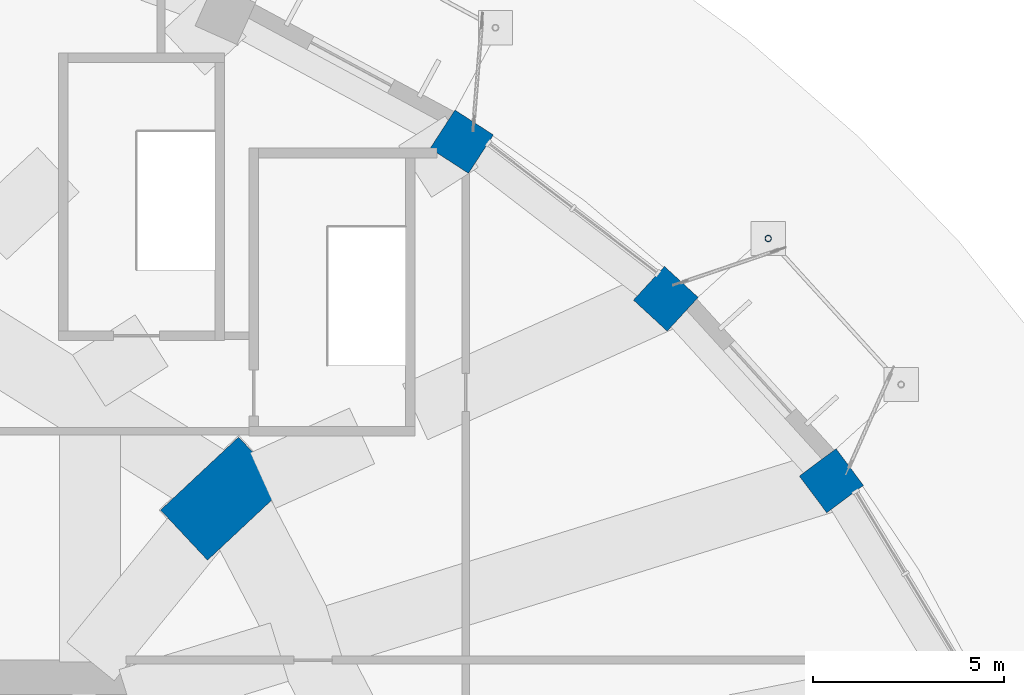
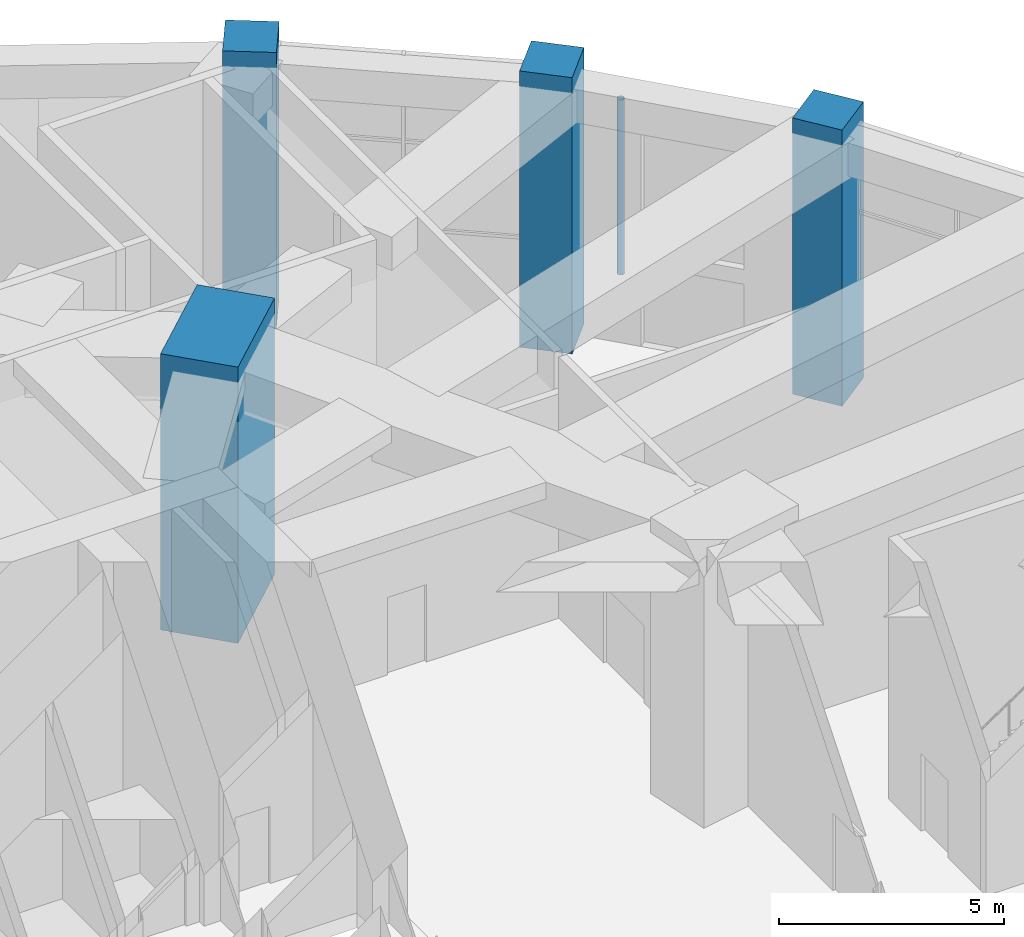
# One storey, part 16 of 60: 5 columns.
"""IFC4 building model written with IfcOpenShell, lengths in metres."""

import ifcopenshell
import ifcopenshell.guid

model = None  # the IFC model being written
_history = None  # IfcOwnerHistory: only IFC2X3 demands one
_inside = {}  # id of a spatial element -> (the spatial element, [elements in it])
_under = {}  # id of a project, library or spatial element -> (it, [spatial elements below it])
_declared = {}  # id of a project -> (the project, [libraries it declares])
_typed = {}  # id of a type object -> (the type object, [elements of that type])
_made_of = {}  # id of a material, layer set ... -> (it, [elements and type objects made of it])


def new_model(schema):
    """Start an empty IFC model of exactly this schema.

    Asked for "IFC4X3", IfcOpenShell would pick the latest addendum, in which some entities
    have other attributes; the version numbers below select the first issue.
    IFC2X3 requires an IfcOwnerHistory on every rooted entity: one is made here for all.
    """
    global model, _history
    if schema == "IFC4X3":
        model = ifcopenshell.file(schema_version=(4, 3, 0, 0))
    else:
        model = ifcopenshell.file(schema=schema)
    _inside.clear()
    _under.clear()
    _declared.clear()
    _typed.clear()
    _made_of.clear()
    _history = None
    if model.schema == "IFC2X3":
        org = make("IfcOrganization", Name="unknown")
        user = make(
            "IfcPersonAndOrganization",
            ThePerson=make("IfcPerson", FamilyName="unknown"),
            TheOrganization=org,
        )
        app = make(
            "IfcApplication",
            ApplicationDeveloper=org,
            Version="unknown",
            ApplicationFullName="unknown",
            ApplicationIdentifier="unknown",
        )
        _history = make(
            "IfcOwnerHistory",
            OwningUser=user,
            OwningApplication=app,
            ChangeAction="ADDED",
            CreationDate=0,
        )
    return model


def make(cls, **values):
    """One entity of the class cls with the attributes given. An attribute that is None is left unset."""
    return model.create_entity(
        cls, **{name: value for name, value in values.items() if value is not None}
    )


def rooted(cls, **values):
    """An entity with a GlobalId (a new one), such as an element, a storey or a relation."""
    return make(cls, GlobalId=ifcopenshell.guid.new(), OwnerHistory=_history, **values)


def si_unit(unit_type, name, prefix=None):
    """IfcSIUnit, for example si_unit("LENGTHUNIT", "METRE", prefix="MILLI")."""
    return make("IfcSIUnit", UnitType=unit_type, Prefix=prefix, Name=name)


def assignment(units):
    """IfcUnitAssignment: the units of a project."""
    return None if units is None else make("IfcUnitAssignment", Units=units)


def point(xyz):
    """IfcCartesianPoint."""
    return None if xyz is None else make("IfcCartesianPoint", Coordinates=xyz)


def direction(xyz):
    """IfcDirection."""
    return None if xyz is None else make("IfcDirection", DirectionRatios=xyz)


def frame(location, z_axis=None, x_axis=None):
    """IfcAxis2Placement3D, a coordinate frame: its origin and axes. An axis left out is left unset."""
    return make(
        "IfcAxis2Placement3D",
        Location=point(location),
        Axis=direction(z_axis),
        RefDirection=direction(x_axis),
    )


def frame_2d(location, x_axis=None):
    """IfcAxis2Placement2D, a coordinate frame in the plane: its origin and x axis."""
    return make(
        "IfcAxis2Placement2D", Location=point(location), RefDirection=direction(x_axis)
    )


def origin():
    """The frame at (0, 0, 0) with its axes left unset."""
    return frame((0.0, 0.0, 0.0))


def origin_2d():
    """The frame at (0, 0) in the plane with its x axis left unset."""
    return frame_2d((0.0, 0.0))


def place(relative_to, where):
    """IfcLocalPlacement: puts the frame where relative to a parent placement (None: the world)."""
    return make(
        "IfcLocalPlacement", PlacementRelTo=relative_to, RelativePlacement=where
    )


def context(
    kind, dimensions, precision=None, world=None, true_north=None, identifier=None
):
    """IfcGeometricRepresentationContext, for example the 3D "Model" context."""
    return make(
        "IfcGeometricRepresentationContext",
        ContextIdentifier=identifier,
        ContextType=kind,
        CoordinateSpaceDimension=dimensions,
        Precision=precision,
        WorldCoordinateSystem=world,
        TrueNorth=true_north,
    )


def subcontext(parent, identifier, kind, view, scale=None):
    """IfcGeometricRepresentationSubContext, for example "Body" below "Model"."""
    return make(
        "IfcGeometricRepresentationSubContext",
        ContextIdentifier=identifier,
        ContextType=kind,
        ParentContext=parent,
        TargetScale=scale,
        TargetView=view,
    )


def project(units=None, contexts=None):
    """IfcProject with its units and contexts."""
    return rooted(
        "IfcProject",
        Name="project",
        RepresentationContexts=contexts,
        UnitsInContext=assignment(units),
    )


def spatial(cls, under=None, at=None, **own):
    """A site, building, storey or space (cls), placed at a placement, below another one or the project."""
    s = rooted(cls, ObjectPlacement=at, **own)
    if under is not None:
        _under.setdefault(under.id(), (under, []))[1].append(s)
    return s


def profile(cls, at=None, kind="AREA", **sizes):
    """A parametric profile (cls). Its sizes go by their IFC names, for example OverallWidth=200.0."""
    return make(cls, ProfileType=kind, Position=at, **sizes)


def rectangle(**sizes):
    """IfcRectangleProfileDef."""
    return profile("IfcRectangleProfileDef", **sizes)


def hollow_circle(**sizes):
    """IfcCircleHollowProfileDef."""
    return profile("IfcCircleHollowProfileDef", **sizes)


def extrude(swept, where, along, depth):
    """IfcExtrudedAreaSolid: the profile swept, set in the frame where, extruded along a direction by depth."""
    return make(
        "IfcExtrudedAreaSolid",
        SweptArea=swept,
        Position=where,
        ExtrudedDirection=direction(along),
        Depth=depth,
    )


def shape(context_of_items, identifier, shape_type, items):
    """IfcShapeRepresentation: the items that make up one representation, for example the "Body"."""
    return make(
        "IfcShapeRepresentation",
        ContextOfItems=context_of_items,
        RepresentationIdentifier=identifier,
        RepresentationType=shape_type,
        Items=items,
    )


def material(Name=None, Category=None):
    """IfcMaterial."""
    return make("IfcMaterial", Name=Name, Category=Category)


def material_profile(
    of_material, cross_section, Name=None, Category=None, Priority=None
):
    """IfcMaterialProfile: a cross section and its material."""
    return make(
        "IfcMaterialProfile",
        Name=Name,
        Material=of_material,
        Profile=cross_section,
        Priority=Priority,
        Category=Category,
    )


def profile_set(profiles, Name=None, composite=None):
    """IfcMaterialProfileSet."""
    return make(
        "IfcMaterialProfileSet",
        Name=Name,
        MaterialProfiles=profiles,
        CompositeProfile=composite,
    )


def made_of(thing, what):
    """Note that an element or type object is made of a material, layer set ...; save() writes the relation."""
    if what is not None:
        _made_of.setdefault(what.id(), (what, []))[1].append(thing)
    return thing


def type_object(cls, material=None, **own):
    """A type object (cls), such as IfcWallType, which elements share."""
    return made_of(rooted(cls, **own), material)


def element(
    cls,
    number,
    at=None,
    inside=None,
    cuts=None,
    type_object=None,
    material=None,
    context=None,
    identifier="Body",
    shape_type=None,
    held_by="IfcProductDefinitionShape",
    body=None,
    shapes=None,
    **own,
):
    """One element of the class cls, such as IfcWall. Its Tag is "e" and its number.

    at: its placement. inside: the storey or other place that contains it. cuts: it is an
    opening in that element (IfcRelVoidsElement). A single representation is given by context,
    identifier, shape_type and body (its items); several are given by shapes. held_by: the class
    of the entity that holds the representations. save() writes the other relations.
    """
    e = rooted(cls, Tag="e%d" % number, ObjectPlacement=at, **own)
    if body is not None:
        shapes = [shape(context, identifier, shape_type, body)]
    if shapes is not None:
        e.Representation = make(held_by, Representations=shapes)
    if inside is not None:
        _inside.setdefault(inside.id(), (inside, []))[1].append(e)
    if cuts is not None:
        rooted(
            "IfcRelVoidsElement", RelatingBuildingElement=cuts, RelatedOpeningElement=e
        )
    if type_object is not None:
        _typed.setdefault(type_object.id(), (type_object, []))[1].append(e)
    return made_of(e, material)


def aggregate(whole, parts):
    """IfcRelAggregates: a whole, such as a stair, and the parts it consists of."""
    return rooted("IfcRelAggregates", RelatingObject=whole, RelatedObjects=parts)


def save(model, path):
    """Write the relations noted so far, then the file.

    IfcRelAggregates (storeys below a building ...), IfcRelContainedInSpatialStructure (elements
    in a storey), IfcRelDefinesByType, IfcRelAssociatesMaterial and IfcRelDeclares: one each for
    every whole, place, type object, material and project.
    """
    for whole, parts in _under.values():
        aggregate(whole, parts)
    for where, things in _inside.values():
        rooted(
            "IfcRelContainedInSpatialStructure",
            RelatedElements=things,
            RelatingStructure=where,
        )
    for kind, things in _typed.values():
        rooted("IfcRelDefinesByType", RelatedObjects=things, RelatingType=kind)
    for what, things in _made_of.values():
        rooted("IfcRelAssociatesMaterial", RelatedObjects=things, RelatingMaterial=what)
    for by, libraries in _declared.values():
        rooted("IfcRelDeclares", RelatingContext=by, RelatedDefinitions=libraries)
    model.write(path)


model = new_model("IFC4")

# Units and contexts
model_context = context("Model", 3, precision=1e-05, world=origin(), true_north=direction((0.0, 1.0)))
body_context = subcontext(model_context, "Body", "Model", "MODEL_VIEW")
ifc_project = project(units=[si_unit("LENGTHUNIT", "METRE"), si_unit("AREAUNIT", "SQUARE_METRE"), si_unit("VOLUMEUNIT", "CUBIC_METRE"), si_unit("PLANEANGLEUNIT", "RADIAN"), si_unit("MASSUNIT", "GRAM", prefix="KILO")], contexts=[model_context])

# Site, building, storey
site_placement = place(None, origin())
site = spatial("IfcSite", under=ifc_project, at=site_placement, CompositionType="ELEMENT")
building_placement = place(site_placement, origin())
building = spatial("IfcBuilding", under=site, at=building_placement, Name="Taillehof Tower", CompositionType="ELEMENT")
storey_placement = place(building_placement, origin())
storey = spatial("IfcBuildingStorey", under=building, at=storey_placement, Name="L00", CompositionType="ELEMENT", Elevation=0.0)

# Columns
ifc_material_1 = material(Name="Steel S460M", Category="steel")
ifc_material_profile_1 = material_profile(ifc_material_1, hollow_circle(Radius=0.084228515625, WallThickness=0.008056640625, at=origin_2d()), Name="CHS 168.3x8")
ifc_profile_set_1 = profile_set([ifc_material_profile_1], Name="Steel S460M")
column_type_1 = type_object("IfcColumnType", Name="Canopy post CHS 168.3x8", PredefinedType="COLUMN", material=ifc_profile_set_1)
column_1_placement = place(storey_placement, frame((35.93017578125, 23.04931640625, -0.199951171875), z_axis=(0.0, 0.0, 1.0), x_axis=(1.0, 0.0, 0.0)))
element("IfcColumn", 1, at=column_1_placement, inside=storey, type_object=column_type_1, Name="Canopy post E14", PredefinedType="COLUMN", context=body_context, shape_type="SweptSolid", body=[
    extrude(hollow_circle(Radius=0.084228515625, WallThickness=0.008056640625, at=origin_2d()), origin(), (0.0, 0.0, 1.0), 4.7548828125),
])
ifc_material_2 = material(Name="Concrete C80/95", Category="concrete")
ifc_material_profile_2 = material_profile(ifc_material_2, rectangle(XDim=2.800048828125, YDim=1.800048828125, at=origin_2d()), Name="RC 2800x1800")
ifc_profile_set_2 = profile_set([ifc_material_profile_2], Name="Concrete C80/95")
column_type_2 = type_object("IfcColumnType", Name="Mega column C80/95 2800x1800", PredefinedType="COLUMN", material=ifc_profile_set_2)
column_2_placement = place(storey_placement, frame((21.640869140625, 16.23046875, 0.0), z_axis=(0.0, 0.0, 1.0), x_axis=(0.730113022917, 0.683326403535, 0.0)))
element("IfcColumn", 2, at=column_2_placement, inside=storey, type_object=column_type_2, Name="Mega column MG02", PredefinedType="COLUMN", context=body_context, shape_type="SweptSolid", body=[
    extrude(rectangle(XDim=2.800048828125, YDim=1.800048828125, at=origin_2d()), origin(), (0.0, 0.0, 1.0), 7.5),
])
ifc_material_3 = material(Name="Concrete C60/75", Category="concrete")
ifc_material_profile_3 = material_profile(ifc_material_3, rectangle(XDim=1.199951171875, YDim=1.199951171875, at=origin_2d()), Name="RC 1200x1200")
ifc_profile_set_3 = profile_set([ifc_material_profile_3], Name="Concrete C60/75")
column_type_3 = type_object("IfcColumnType", Name="Podium column C60/75 1200x1200", PredefinedType="COLUMN", material=ifc_profile_set_3)
for number, where, z_axis, x_axis, name in (
    (3, (37.58544921875, 16.699951171875, 0.0), (0.0, 0.0, 1.0), (0.80109108527, 0.598542457225, 0.0), "Podium column PC04"),
    (4, (33.246337890625, 21.468994140625, 0.0), (0.0, 0.0, 1.0), (0.677415246737, 0.735600831626, 0.0), "Podium column PC05"),
    (5, (27.89697265625, 25.5859375, 0.0), (0.0, 0.0, 1.0), (0.544041391531, 0.839058379554, 0.0), "Podium column PC06"),
):
    element("IfcColumn", number, at=place(storey_placement, frame(where, z_axis=z_axis, x_axis=x_axis)), inside=storey, type_object=column_type_3, Name=name, PredefinedType="COLUMN", context=body_context, shape_type="SweptSolid", body=[
        extrude(rectangle(XDim=1.199951171875, YDim=1.199951171875, at=origin_2d()), origin(), (0.0, 0.0, 1.0), 7.5),
    ])

save(model, "model.ifc")
